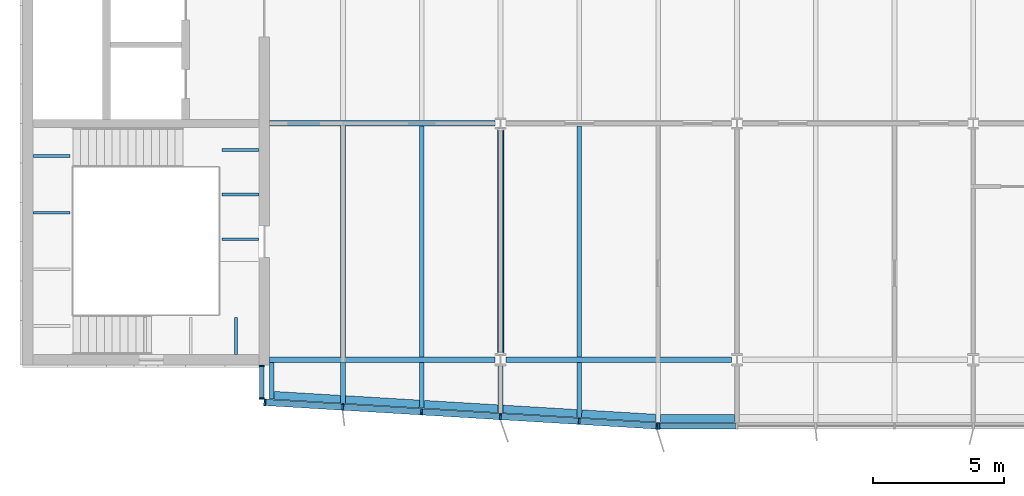
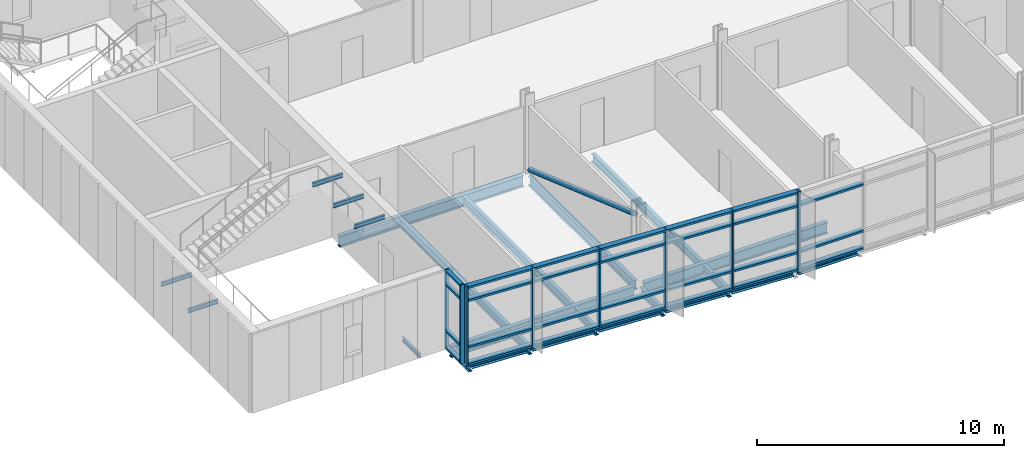
# One storey, part 2 of 17: 37 members, 24 beams, 3 elements without a shape of their own.
"""IFC4 building model written with IfcOpenShell, lengths in metres."""

from ifc_helpers import new_model, si_unit, direction, frame, origin, origin_2d, place, context, subcontext, project, spatial, rectangle, hollow_circle, i_section, extrude, material, material_profile, profile_set, type_object, element, aggregate, save


model = new_model("IFC4")

# Units and contexts
model_context = context("Model", 3, precision=1e-05, world=origin(), true_north=direction((0.0, 1.0)))
body_context = subcontext(model_context, "Body", "Model", "MODEL_VIEW")
ifc_project = project(units=[si_unit("LENGTHUNIT", "METRE"), si_unit("AREAUNIT", "SQUARE_METRE"), si_unit("VOLUMEUNIT", "CUBIC_METRE"), si_unit("PLANEANGLEUNIT", "RADIAN"), si_unit("MASSUNIT", "GRAM", prefix="KILO")], contexts=[model_context])

# Site, building, storey
site_placement = place(None, origin())
site = spatial("IfcSite", under=ifc_project, at=site_placement, CompositionType="ELEMENT")
building_placement = place(site_placement, origin())
building = spatial("IfcBuilding", under=site, at=building_placement, Name="Azimuth Sports and Learning Centre", CompositionType="ELEMENT")
storey_placement = place(building_placement, frame((0.0, 0.0, 36.300048828125)))
storey = spatial("IfcBuildingStorey", under=building, at=storey_placement, Name="L07", CompositionType="ELEMENT", Elevation=36.300048828125)

# Beams
ifc_material_1 = material(Name="Steel S355", Category="steel")
ifc_material_profile_1 = material_profile(ifc_material_1, i_section(OverallWidth=0.10009765625, OverallDepth=0.199951171875, WebThickness=0.005615234375, FlangeThickness=0.008544921875, FilletRadius=0.011962890625, at=origin_2d()), Name="IPE 200")
ifc_profile_set_1 = profile_set([ifc_material_profile_1], Name="Steel S355")
beam_type_1 = type_object("IfcBeamType", Name="Beam IPE 200", PredefinedType="BEAM", material=ifc_profile_set_1)
for number, where, z_axis, x_axis, name in (
    (1, (61.9267578125, 90.199951171875, -0.300048828125), (0.0, 1.0, 0.0), (-1.0, 0.0, 0.0), "Landing bracket W1 L07 71"),
    (2, (54.199951171875, 95.603759765625, 1.349853515625), (1.0, 0.0, 0.0), (0.0, 1.0, 0.0), "Landing bracket W1 L07 74"),
    (3, (54.199951171875, 97.76123046875, 1.349853515625), (1.0, 0.0, 0.0), (0.0, 1.0, 0.0), "Landing bracket W1 L07 75"),
    (4, (62.800048828125, 94.598388671875, 3.599853515625), (-1.0, 0.0, 0.0), (0.0, -1.0, 0.0), "Landing bracket W1 L07 76"),
    (5, (62.800048828125, 96.294921875, 3.599853515625), (-1.0, 0.0, 0.0), (0.0, -1.0, 0.0), "Landing bracket W1 L07 77"),
    (6, (62.800048828125, 97.99169921875, 3.599853515625), (-1.0, 0.0, 0.0), (0.0, -1.0, 0.0), "Landing bracket W1 L07 78"),
):
    element("IfcBeam", number, at=place(storey_placement, frame(where, z_axis=z_axis, x_axis=x_axis)), inside=storey, type_object=beam_type_1, Name=name, PredefinedType="BEAM", context=body_context, shape_type="SweptSolid", body=[
        extrude(i_section(OverallWidth=0.10009765625, OverallDepth=0.199951171875, WebThickness=0.005615234375, FlangeThickness=0.008544921875, FilletRadius=0.011962890625, at=origin_2d()), origin(), (0.0, 0.0, 1.0), 1.41015625),
    ])
ifc_material_2 = material(Name="Steel S355", Category="steel")
ifc_material_profile_2 = material_profile(ifc_material_2, i_section(OverallWidth=0.18994140625, OverallDepth=0.449951171875, WebThickness=0.009521484375, FlangeThickness=0.0146484375, FilletRadius=0.02099609375, at=origin_2d()), Name="IPE 450")
ifc_profile_set_2 = profile_set([ifc_material_profile_2], Name="Steel S355")
beam_type_2 = type_object("IfcBeamType", Name="Beam IPE 450", PredefinedType="BEAM", material=ifc_profile_set_2)
beam_1_placement = place(storey_placement, frame((72.0, 90.237060546875, -0.35498046875), z_axis=(0.0, 1.0, 0.0), x_axis=(-1.0, 0.0, 0.0)))
element("IfcBeam", 7, at=beam_1_placement, inside=storey, type_object=beam_type_2, Name="Tower tie", PredefinedType="BEAM", context=body_context, shape_type="SweptSolid", body=[
    extrude(i_section(OverallWidth=0.18994140625, OverallDepth=0.449951171875, WebThickness=0.009521484375, FlangeThickness=0.0146484375, FilletRadius=0.02099609375, at=origin_2d()), origin(), (0.0, 0.0, 1.0), 8.54541015625),
])
ifc_material_3 = material(Name="Steel S355", Category="steel")
ifc_material_profile_3 = material_profile(ifc_material_3, i_section(OverallWidth=0.2099609375, OverallDepth=0.550048828125, WebThickness=0.010986328125, FlangeThickness=0.01708984375, FilletRadius=0.02392578125, at=origin_2d()), Name="IPE 550")
ifc_profile_set_3 = profile_set([ifc_material_profile_3], Name="Steel S355")
beam_type_3 = type_object("IfcBeamType", Name="Beam IPE 550", PredefinedType="BEAM", material=ifc_profile_set_3)
beam_2_placement = place(storey_placement, frame((63.199951171875, 90.0, -0.405029296875), z_axis=(1.0, 0.0, 0.0), x_axis=(0.0, 1.0, 0.0)))
element("IfcBeam", 8, at=beam_2_placement, inside=storey, type_object=beam_type_3, Name="Tower girder L07", PredefinedType="BEAM", context=body_context, shape_type="SweptSolid", body=[
    extrude(i_section(OverallWidth=0.2099609375, OverallDepth=0.550048828125, WebThickness=0.010986328125, FlangeThickness=0.01708984375, FilletRadius=0.02392578125, at=origin_2d()), origin(), (0.0, 0.0, 1.0), 8.588134765625),
])
beam_3_placement = place(storey_placement, frame((72.2119140625, 90.0, -0.405029296875), z_axis=(1.0, 0.0, 0.0), x_axis=(0.0, 1.0, 0.0)))
element("IfcBeam", 9, at=beam_3_placement, inside=storey, type_object=beam_type_3, Name="Tower girder L07", PredefinedType="BEAM", context=body_context, shape_type="SweptSolid", body=[
    extrude(i_section(OverallWidth=0.2099609375, OverallDepth=0.550048828125, WebThickness=0.010986328125, FlangeThickness=0.01708984375, FilletRadius=0.02392578125, at=origin_2d()), origin(), (0.0, 0.0, 1.0), 8.576171875),
])
beam_4_placement = place(storey_placement, frame((63.199951171875, 99.0, -0.405029296875), z_axis=(1.0, 0.0, 0.0), x_axis=(0.0, 1.0, 0.0)))
element("IfcBeam", 10, at=beam_4_placement, inside=storey, type_object=beam_type_3, Name="Tower girder L07", PredefinedType="BEAM", context=body_context, shape_type="SweptSolid", body=[
    extrude(i_section(OverallWidth=0.2099609375, OverallDepth=0.550048828125, WebThickness=0.010986328125, FlangeThickness=0.01708984375, FilletRadius=0.02392578125, at=origin_2d()), origin(), (0.0, 0.0, 1.0), 8.593994140625),
])

# Member
ifc_material_4 = material(Name="Steel S355", Category="steel")
ifc_material_profile_4 = material_profile(ifc_material_4, hollow_circle(Radius=0.122314453125, WallThickness=0.012451171875, at=origin_2d()), Name="CHS 244.5x12.5")
ifc_profile_set_4 = profile_set([ifc_material_profile_4], Name="Steel S355")
member_type_1 = type_object("IfcMemberType", Name="Brace CHS 244.5x12.5", PredefinedType="BRACE", material=ifc_profile_set_4)
member_1_placement = place(storey_placement, frame((72.0, 90.25732421875, 3.150634765625), z_axis=(0.0, 0.943699867633, -0.330802901785), x_axis=(-1.0, 0.0, 0.0)))
element("IfcMember", 11, at=member_1_placement, inside=storey, type_object=member_type_1, Name="Tower brace 9 L07", PredefinedType="BRACE", context=body_context, shape_type="SweptSolid", body=[
    extrude(hollow_circle(Radius=0.122314453125, WallThickness=0.012451171875, at=origin_2d()), origin(), (0.0, 0.0, 1.0), 9.011962890625),
])

# Beams
ifc_material_5 = material(Name="Steel S355", Category="steel")
ifc_material_profile_5 = material_profile(ifc_material_5, i_section(OverallWidth=0.179931640625, OverallDepth=0.39990234375, WebThickness=0.008544921875, FlangeThickness=0.013427734375, FilletRadius=0.02099609375, at=origin_2d()), Name="IPE 400")
ifc_profile_set_5 = profile_set([ifc_material_profile_5], Name="Steel S355")
beam_type_4 = type_object("IfcBeamType", Name="Cantilever stub IPE 400", PredefinedType="JOIST", material=ifc_profile_set_5)
beam_5_placement = place(storey_placement, frame((63.2900390625, 89.89501953125, -0.330078125), z_axis=(0.0, -1.0, 0.0), x_axis=(1.0, 0.0, 0.0)))
element("IfcBeam", 12, at=beam_5_placement, inside=storey, type_object=beam_type_4, Name="Tower cantilever stub", PredefinedType="JOIST", context=body_context, shape_type="SweptSolid", body=[
    extrude(i_section(OverallWidth=0.179931640625, OverallDepth=0.39990234375, WebThickness=0.008544921875, FlangeThickness=0.013427734375, FilletRadius=0.02099609375, at=origin_2d()), origin(), (0.0, 0.0, 1.0), 1.392333984375),
])
beam_6_placement = place(storey_placement, frame((66.0, 89.89501953125, -0.330078125), z_axis=(0.0, -1.0, 0.0), x_axis=(1.0, 0.0, 0.0)))
element("IfcBeam", 13, at=beam_6_placement, inside=storey, type_object=beam_type_4, Name="Tower cantilever stub", PredefinedType="JOIST", context=body_context, shape_type="SweptSolid", body=[
    extrude(i_section(OverallWidth=0.179931640625, OverallDepth=0.39990234375, WebThickness=0.008544921875, FlangeThickness=0.013427734375, FilletRadius=0.02099609375, at=origin_2d()), origin(), (0.0, 0.0, 1.0), 1.554931640625),
])
beam_7_placement = place(storey_placement, frame((69.0, 89.89501953125, -0.330078125), z_axis=(0.0, -1.0, 0.0), x_axis=(1.0, 0.0, 0.0)))
element("IfcBeam", 14, at=beam_7_placement, inside=storey, type_object=beam_type_4, Name="Tower cantilever stub", PredefinedType="JOIST", context=body_context, shape_type="SweptSolid", body=[
    extrude(i_section(OverallWidth=0.179931640625, OverallDepth=0.39990234375, WebThickness=0.008544921875, FlangeThickness=0.013427734375, FilletRadius=0.02099609375, at=origin_2d()), origin(), (0.0, 0.0, 1.0), 1.735107421875),
])
beam_8_placement = place(storey_placement, frame((72.0, 89.762939453125, -0.330078125), z_axis=(0.0, -1.0, 0.0), x_axis=(1.0, 0.0, 0.0)))
element("IfcBeam", 15, at=beam_8_placement, inside=storey, type_object=beam_type_4, Name="Tower cantilever stub", PredefinedType="JOIST", context=body_context, shape_type="SweptSolid", body=[
    extrude(i_section(OverallWidth=0.179931640625, OverallDepth=0.39990234375, WebThickness=0.008544921875, FlangeThickness=0.013427734375, FilletRadius=0.02099609375, at=origin_2d()), origin(), (0.0, 0.0, 1.0), 1.782958984375),
])
beam_9_placement = place(storey_placement, frame((75.0, 89.89501953125, -0.330078125), z_axis=(0.0, -1.0, 0.0), x_axis=(1.0, 0.0, 0.0)))
element("IfcBeam", 16, at=beam_9_placement, inside=storey, type_object=beam_type_4, Name="Tower cantilever stub", PredefinedType="JOIST", context=body_context, shape_type="SweptSolid", body=[
    extrude(i_section(OverallWidth=0.179931640625, OverallDepth=0.39990234375, WebThickness=0.008544921875, FlangeThickness=0.013427734375, FilletRadius=0.02099609375, at=origin_2d()), origin(), (0.0, 0.0, 1.0), 2.094970703125),
])
ifc_material_6 = material(Name="Steel S355", Category="steel")
ifc_material_profile_6 = material_profile(ifc_material_6, i_section(OverallWidth=0.300048828125, OverallDepth=0.2900390625, WebThickness=0.008544921875, FlangeThickness=0.013916015625, FilletRadius=0.027099609375, at=origin_2d()), Name="HEA 300")
ifc_profile_set_6 = profile_set([ifc_material_profile_6], Name="Steel S355")
beam_type_5 = type_object("IfcBeamType", Name="Edge beam HEA 300", PredefinedType="SPANDREL", material=ifc_profile_set_6)
beam_10_placement = place(storey_placement, frame((63.3798828125, 88.647216796875, -0.275146484375), z_axis=(0.998203578329, -0.059913405937, 0.0), x_axis=(0.059913405937, 0.998203578329, 0.0)))
element("IfcBeam", 17, at=beam_10_placement, inside=storey, type_object=beam_type_5, Name="Tower edge beam", PredefinedType="SPANDREL", context=body_context, shape_type="SweptSolid", body=[
    extrude(i_section(OverallWidth=0.300048828125, OverallDepth=0.2900390625, WebThickness=0.008544921875, FlangeThickness=0.013916015625, FilletRadius=0.027099609375, at=origin_2d()), origin(), (0.0, 0.0, 1.0), 2.53466796875),
])
for number, where, z_axis, x_axis, name in (
    (18, (66.090087890625, 88.484619140625, -0.275146484375), (0.998204845466, -0.059892290728, 0.0), (0.059892290728, 0.998204845466, 0.0), "Tower edge beam"),
    (19, (69.090087890625, 88.3046875, -0.275146484375), (0.998204845466, -0.059892290728, 0.0), (0.059892290728, 0.998204845466, 0.0), "Tower edge beam"),
    (20, (72.090087890625, 88.12451171875, -0.275146484375), (0.998204845466, -0.059892290728, 0.0), (0.059892290728, 0.998204845466, 0.0), "Tower edge beam"),
    (21, (75.090087890625, 87.944580078125, -0.275146484375), (0.998204845466, -0.059892290728, 0.0), (0.059892290728, 0.998204845466, 0.0), "Tower edge beam"),
):
    element("IfcBeam", number, at=place(storey_placement, frame(where, z_axis=z_axis, x_axis=x_axis)), inside=storey, type_object=beam_type_5, Name=name, PredefinedType="SPANDREL", context=body_context, shape_type="SweptSolid", body=[
        extrude(i_section(OverallWidth=0.300048828125, OverallDepth=0.2900390625, WebThickness=0.008544921875, FlangeThickness=0.013916015625, FilletRadius=0.027099609375, at=origin_2d()), origin(), (0.0, 0.0, 1.0), 2.824951171875),
    ])
beam_11_placement = place(storey_placement, frame((78.090087890625, 87.77001953125, -0.275146484375), z_axis=(1.0, 0.0, 0.0), x_axis=(0.0, 1.0, 0.0)))
element("IfcBeam", 22, at=beam_11_placement, inside=storey, type_object=beam_type_5, Name="Tower edge beam", PredefinedType="SPANDREL", context=body_context, shape_type="SweptSolid", body=[
    extrude(i_section(OverallWidth=0.300048828125, OverallDepth=0.2900390625, WebThickness=0.008544921875, FlangeThickness=0.013916015625, FilletRadius=0.027099609375, at=origin_2d()), origin(), (0.0, 0.0, 1.0), 2.81982421875),
])
ifc_material_7 = material(Name="Steel S355", Category="steel")
ifc_material_profile_7 = material_profile(ifc_material_7, i_section(OverallWidth=0.179931640625, OverallDepth=0.39990234375, WebThickness=0.008544921875, FlangeThickness=0.013427734375, FilletRadius=0.02099609375, at=origin_2d()), Name="IPE 400")
ifc_profile_set_7 = profile_set([ifc_material_profile_7], Name="Steel S355")
beam_type_6 = type_object("IfcBeamType", Name="Joist IPE 400", PredefinedType="JOIST", material=ifc_profile_set_7)
for number, where, z_axis, x_axis, name in (
    (23, (66.0, 90.10498046875, -0.330078125), (0.0, 1.0, 0.0), (-1.0, 0.0, 0.0), "Tower joist"),
    (24, (69.0, 90.10498046875, -0.330078125), (0.0, 1.0, 0.0), (-1.0, 0.0, 0.0), "Tower joist"),
    (25, (75.0, 90.10498046875, -0.330078125), (0.0, 1.0, 0.0), (-1.0, 0.0, 0.0), "Tower joist"),
):
    element("IfcBeam", number, at=place(storey_placement, frame(where, z_axis=z_axis, x_axis=x_axis)), inside=storey, type_object=beam_type_6, Name=name, PredefinedType="JOIST", context=body_context, shape_type="SweptSolid", body=[
        extrude(i_section(OverallWidth=0.179931640625, OverallDepth=0.39990234375, WebThickness=0.008544921875, FlangeThickness=0.013427734375, FilletRadius=0.02099609375, at=origin_2d()), origin(), (0.0, 0.0, 1.0), 8.7900390625),
    ])

# Curtain wall, members
ifc_material_8 = material(Name="Aluminium and glass", Category="aluminium")
curtain_wall_type_1 = type_object("IfcCurtainWallType", Name="Curtain wall tower return 180", PredefinedType="NOTDEFINED", material=ifc_material_8)
curtain_wall_1_placement = place(storey_placement, origin())
curtain_wall_1 = element("IfcCurtainWall", 26, at=curtain_wall_1_placement, inside=storey, type_object=curtain_wall_type_1, Name="Curtain wall CW07-001", PredefinedType="NOTDEFINED")
ifc_material_9 = material(Name="Aluminium", Category="aluminium")
ifc_material_profile_8 = material_profile(ifc_material_9, rectangle(XDim=0.179931640625, YDim=0.06005859375, at=origin_2d()), Name="Mullion 60x180")
ifc_profile_set_8 = profile_set([ifc_material_profile_8], Name="Aluminium")
member_type_2 = type_object("IfcMemberType", Name="Mullion 60x180", PredefinedType="MULLION", material=ifc_profile_set_8)
member_2_placement = place(storey_placement, frame((62.909912109375, 89.77001953125, 0.0), z_axis=(0.0, 0.0, 1.0), x_axis=(1.0, 0.0, 0.0)))
member_2 = element("IfcMember", 27, at=member_2_placement, type_object=member_type_2, Name="CW07-001 mullion 1", PredefinedType="MULLION", context=body_context, shape_type="SweptSolid", body=[
    extrude(rectangle(XDim=0.179931640625, YDim=0.06005859375, at=origin_2d()), origin(), (0.0, 0.0, 1.0), 3.89990234375),
])
member_3_placement = place(storey_placement, frame((62.909912109375, 88.530029296875, 0.0), z_axis=(0.0, 0.0, 1.0), x_axis=(1.0, 0.0, 0.0)))
member_3 = element("IfcMember", 28, at=member_3_placement, type_object=member_type_2, Name="CW07-001 mullion 2", PredefinedType="MULLION", context=body_context, shape_type="SweptSolid", body=[
    extrude(rectangle(XDim=0.179931640625, YDim=0.06005859375, at=origin_2d()), origin(), (0.0, 0.0, 1.0), 3.89990234375),
])

ifc_material_10 = material(Name="Aluminium and glass", Category="aluminium")
curtain_wall_type_2 = type_object("IfcCurtainWallType", Name="Curtain wall tower south 240", PredefinedType="NOTDEFINED", material=ifc_material_10)
curtain_wall_2_placement = place(storey_placement, origin())
curtain_wall_2 = element("IfcCurtainWall", 29, at=curtain_wall_2_placement, inside=storey, type_object=curtain_wall_type_2, Name="Curtain wall CW07-002", PredefinedType="NOTDEFINED")
ifc_material_11 = material(Name="Aluminium", Category="aluminium")
ifc_material_profile_9 = material_profile(ifc_material_11, rectangle(XDim=0.239990234375, YDim=0.070068359375, at=origin_2d()), Name="Mullion 70x240")
ifc_profile_set_9 = profile_set([ifc_material_profile_9], Name="Aluminium")
member_type_3 = type_object("IfcMemberType", Name="Mullion 70x240", PredefinedType="MULLION", material=ifc_profile_set_9)
member_4_placement = place(storey_placement, frame((63.02783203125, 88.378173828125, 0.0), z_axis=(0.0, 0.0, 1.0), x_axis=(0.059891991812, 0.998204863401, 0.0)))
member_4 = element("IfcMember", 30, at=member_4_placement, type_object=member_type_3, Name="CW07-002 mullion 1", PredefinedType="MULLION", context=body_context, shape_type="SweptSolid", body=[
    extrude(rectangle(XDim=0.239990234375, YDim=0.070068359375, at=origin_2d()), origin(), (0.0, 0.0, 1.0), 3.89990234375),
])
member_5_placement = place(storey_placement, frame((65.992919921875, 88.2001953125, 0.0), z_axis=(0.0, 0.0, 1.0), x_axis=(0.059891991812, 0.998204863401, 0.0)))
member_5 = element("IfcMember", 31, at=member_5_placement, type_object=member_type_3, Name="CW07-002 mullion 2", PredefinedType="MULLION", context=body_context, shape_type="SweptSolid", body=[
    extrude(rectangle(XDim=0.239990234375, YDim=0.070068359375, at=origin_2d()), origin(), (0.0, 0.0, 1.0), 3.89990234375),
])
member_6_placement = place(storey_placement, frame((68.992919921875, 88.020263671875, 0.0), z_axis=(0.0, 0.0, 1.0), x_axis=(0.059891991812, 0.998204863401, 0.0)))
member_6 = element("IfcMember", 32, at=member_6_placement, type_object=member_type_3, Name="CW07-002 mullion 3", PredefinedType="MULLION", context=body_context, shape_type="SweptSolid", body=[
    extrude(rectangle(XDim=0.239990234375, YDim=0.070068359375, at=origin_2d()), origin(), (0.0, 0.0, 1.0), 3.89990234375),
])
member_7_placement = place(storey_placement, frame((71.992919921875, 87.84033203125, 0.0), z_axis=(0.0, 0.0, 1.0), x_axis=(0.059891991812, 0.998204863401, 0.0)))
member_7 = element("IfcMember", 33, at=member_7_placement, type_object=member_type_3, Name="CW07-002 mullion 4", PredefinedType="MULLION", context=body_context, shape_type="SweptSolid", body=[
    extrude(rectangle(XDim=0.239990234375, YDim=0.070068359375, at=origin_2d()), origin(), (0.0, 0.0, 1.0), 3.89990234375),
])
member_8_placement = place(storey_placement, frame((74.992919921875, 87.66015625, 0.0), z_axis=(0.0, 0.0, 1.0), x_axis=(0.059891991812, 0.998204863401, 0.0)))
member_8 = element("IfcMember", 34, at=member_8_placement, type_object=member_type_3, Name="CW07-002 mullion 5", PredefinedType="MULLION", context=body_context, shape_type="SweptSolid", body=[
    extrude(rectangle(XDim=0.239990234375, YDim=0.070068359375, at=origin_2d()), origin(), (0.0, 0.0, 1.0), 3.89990234375),
])
member_9_placement = place(storey_placement, frame((77.957763671875, 87.482421875, 0.0), z_axis=(0.0, 0.0, 1.0), x_axis=(0.059891991812, 0.998204863401, 0.0)))
member_9 = element("IfcMember", 35, at=member_9_placement, type_object=member_type_3, Name="CW07-002 mullion 6", PredefinedType="MULLION", context=body_context, shape_type="SweptSolid", body=[
    extrude(rectangle(XDim=0.239990234375, YDim=0.070068359375, at=origin_2d()), origin(), (0.0, 0.0, 1.0), 3.89990234375),
])

# Curtain wall, member
curtain_wall_3_placement = place(storey_placement, origin())
curtain_wall_3 = element("IfcCurtainWall", 36, at=curtain_wall_3_placement, inside=storey, type_object=curtain_wall_type_2, Name="Curtain wall CW07-003", PredefinedType="NOTDEFINED")
member_10_placement = place(storey_placement, frame((78.02783203125, 87.47998046875, 0.0), z_axis=(0.0, 0.0, 1.0), x_axis=(0.0, 1.0, 0.0)))
member_10 = element("IfcMember", 37, at=member_10_placement, type_object=member_type_3, Name="CW07-003 mullion 1", PredefinedType="MULLION", context=body_context, shape_type="SweptSolid", body=[
    extrude(rectangle(XDim=0.239990234375, YDim=0.070068359375, at=origin_2d()), origin(), (0.0, 0.0, 1.0), 3.89990234375),
])

# Member
ifc_material_12 = material(Name="Aluminium", Category="aluminium")
ifc_material_profile_10 = material_profile(ifc_material_12, rectangle(XDim=0.179931640625, YDim=0.10009765625, at=origin_2d()), Name="Transom 100x180")
ifc_profile_set_10 = profile_set([ifc_material_profile_10], Name="Aluminium")
member_type_4 = type_object("IfcMemberType", Name="Transom 100x180", PredefinedType="USERDEFINED", material=ifc_profile_set_10)
member_11_placement = place(storey_placement, frame((62.909912109375, 89.739990234375, 0.050048828125), z_axis=(0.0, -1.0, 0.0), x_axis=(1.0, 0.0, 0.0)))
member_11 = element("IfcMember", 38, at=member_11_placement, type_object=member_type_4, Name="CW07-001 transom 1.1", ObjectType="TRANSOM", PredefinedType="USERDEFINED", context=body_context, shape_type="SweptSolid", body=[
    extrude(rectangle(XDim=0.179931640625, YDim=0.10009765625, at=origin_2d()), origin(), (0.0, 0.0, 1.0), 1.179931640625),
])

member_12_placement = place(storey_placement, frame((62.909912109375, 89.739990234375, 0.89990234375), z_axis=(0.0, -1.0, 0.0), x_axis=(1.0, 0.0, 0.0)))
member_12 = element("IfcMember", 39, at=member_12_placement, type_object=member_type_4, Name="CW07-001 transom 1.2", ObjectType="TRANSOM", PredefinedType="USERDEFINED", context=body_context, shape_type="SweptSolid", body=[
    extrude(rectangle(XDim=0.179931640625, YDim=0.10009765625, at=origin_2d()), origin(), (0.0, 0.0, 1.0), 1.179931640625),
])

member_13_placement = place(storey_placement, frame((62.909912109375, 89.739990234375, 3.199951171875), z_axis=(0.0, -1.0, 0.0), x_axis=(1.0, 0.0, 0.0)))
member_13 = element("IfcMember", 40, at=member_13_placement, type_object=member_type_4, Name="CW07-001 transom 1.3", ObjectType="TRANSOM", PredefinedType="USERDEFINED", context=body_context, shape_type="SweptSolid", body=[
    extrude(rectangle(XDim=0.179931640625, YDim=0.10009765625, at=origin_2d()), origin(), (0.0, 0.0, 1.0), 1.179931640625),
])

member_14_placement = place(storey_placement, frame((62.909912109375, 89.739990234375, 3.849853515625), z_axis=(0.0, -1.0, 0.0), x_axis=(1.0, 0.0, 0.0)))
member_14 = element("IfcMember", 41, at=member_14_placement, type_object=member_type_4, Name="CW07-001 transom 1.4", ObjectType="TRANSOM", PredefinedType="USERDEFINED", context=body_context, shape_type="SweptSolid", body=[
    extrude(rectangle(XDim=0.179931640625, YDim=0.10009765625, at=origin_2d()), origin(), (0.0, 0.0, 1.0), 1.179931640625),
])

aggregate(curtain_wall_1, [member_2, member_3, member_11, member_12, member_13, member_14])

ifc_material_13 = material(Name="Aluminium", Category="aluminium")
ifc_material_profile_11 = material_profile(ifc_material_13, rectangle(XDim=0.239990234375, YDim=0.10009765625, at=origin_2d()), Name="Transom 100x240")
ifc_profile_set_11 = profile_set([ifc_material_profile_11], Name="Aluminium")
member_type_5 = type_object("IfcMemberType", Name="Transom 100x240", PredefinedType="USERDEFINED", material=ifc_profile_set_11)
member_15_placement = place(storey_placement, frame((63.062744140625, 88.3759765625, 0.050048828125), z_axis=(0.998207260343, -0.059852029187, 0.0), x_axis=(0.059852029187, 0.998207260343, 0.0)))
member_15 = element("IfcMember", 42, at=member_15_placement, type_object=member_type_5, Name="CW07-002 transom 1.1", ObjectType="TRANSOM", PredefinedType="USERDEFINED", context=body_context, shape_type="SweptSolid", body=[
    extrude(rectangle(XDim=0.239990234375, YDim=0.10009765625, at=origin_2d()), origin(), (0.0, 0.0, 1.0), 2.900146484375),
])

member_16_placement = place(storey_placement, frame((63.062744140625, 88.3759765625, 0.89990234375), z_axis=(0.998207260343, -0.059852029187, 0.0), x_axis=(0.059852029187, 0.998207260343, 0.0)))
member_16 = element("IfcMember", 43, at=member_16_placement, type_object=member_type_5, Name="CW07-002 transom 1.2", ObjectType="TRANSOM", PredefinedType="USERDEFINED", context=body_context, shape_type="SweptSolid", body=[
    extrude(rectangle(XDim=0.239990234375, YDim=0.10009765625, at=origin_2d()), origin(), (0.0, 0.0, 1.0), 2.900146484375),
])

member_17_placement = place(storey_placement, frame((63.062744140625, 88.3759765625, 3.199951171875), z_axis=(0.998207260343, -0.059852029187, 0.0), x_axis=(0.059852029187, 0.998207260343, 0.0)))
member_17 = element("IfcMember", 44, at=member_17_placement, type_object=member_type_5, Name="CW07-002 transom 1.3", ObjectType="TRANSOM", PredefinedType="USERDEFINED", context=body_context, shape_type="SweptSolid", body=[
    extrude(rectangle(XDim=0.239990234375, YDim=0.10009765625, at=origin_2d()), origin(), (0.0, 0.0, 1.0), 2.900146484375),
])

member_18_placement = place(storey_placement, frame((63.062744140625, 88.3759765625, 3.849853515625), z_axis=(0.998207260343, -0.059852029187, 0.0), x_axis=(0.059852029187, 0.998207260343, 0.0)))
member_18 = element("IfcMember", 45, at=member_18_placement, type_object=member_type_5, Name="CW07-002 transom 1.4", ObjectType="TRANSOM", PredefinedType="USERDEFINED", context=body_context, shape_type="SweptSolid", body=[
    extrude(rectangle(XDim=0.239990234375, YDim=0.10009765625, at=origin_2d()), origin(), (0.0, 0.0, 1.0), 2.900146484375),
])

member_19_placement = place(storey_placement, frame((66.02783203125, 88.197998046875, 0.050048828125), z_axis=(0.998205143816, -0.059887318019, 0.0), x_axis=(0.059887318019, 0.998205143816, 0.0)))
member_19 = element("IfcMember", 46, at=member_19_placement, type_object=member_type_5, Name="CW07-002 transom 2.1", ObjectType="TRANSOM", PredefinedType="USERDEFINED", context=body_context, shape_type="SweptSolid", body=[
    extrude(rectangle(XDim=0.239990234375, YDim=0.10009765625, at=origin_2d()), origin(), (0.0, 0.0, 1.0), 2.935302734375),
])

member_20_placement = place(storey_placement, frame((66.02783203125, 88.197998046875, 0.89990234375), z_axis=(0.998205143816, -0.059887318019, 0.0), x_axis=(0.059887318019, 0.998205143816, 0.0)))
member_20 = element("IfcMember", 47, at=member_20_placement, type_object=member_type_5, Name="CW07-002 transom 2.2", ObjectType="TRANSOM", PredefinedType="USERDEFINED", context=body_context, shape_type="SweptSolid", body=[
    extrude(rectangle(XDim=0.239990234375, YDim=0.10009765625, at=origin_2d()), origin(), (0.0, 0.0, 1.0), 2.935302734375),
])

member_21_placement = place(storey_placement, frame((66.02783203125, 88.197998046875, 3.199951171875), z_axis=(0.998205143816, -0.059887318019, 0.0), x_axis=(0.059887318019, 0.998205143816, 0.0)))
member_21 = element("IfcMember", 48, at=member_21_placement, type_object=member_type_5, Name="CW07-002 transom 2.3", ObjectType="TRANSOM", PredefinedType="USERDEFINED", context=body_context, shape_type="SweptSolid", body=[
    extrude(rectangle(XDim=0.239990234375, YDim=0.10009765625, at=origin_2d()), origin(), (0.0, 0.0, 1.0), 2.935302734375),
])

member_22_placement = place(storey_placement, frame((66.02783203125, 88.197998046875, 3.849853515625), z_axis=(0.998205143816, -0.059887318019, 0.0), x_axis=(0.059887318019, 0.998205143816, 0.0)))
member_22 = element("IfcMember", 49, at=member_22_placement, type_object=member_type_5, Name="CW07-002 transom 2.4", ObjectType="TRANSOM", PredefinedType="USERDEFINED", context=body_context, shape_type="SweptSolid", body=[
    extrude(rectangle(XDim=0.239990234375, YDim=0.10009765625, at=origin_2d()), origin(), (0.0, 0.0, 1.0), 2.935302734375),
])

member_23_placement = place(storey_placement, frame((69.02783203125, 88.01806640625, 0.050048828125), z_axis=(0.998205143816, -0.059887318019, 0.0), x_axis=(0.059887318019, 0.998205143816, 0.0)))
member_23 = element("IfcMember", 50, at=member_23_placement, type_object=member_type_5, Name="CW07-002 transom 3.1", ObjectType="TRANSOM", PredefinedType="USERDEFINED", context=body_context, shape_type="SweptSolid", body=[
    extrude(rectangle(XDim=0.239990234375, YDim=0.10009765625, at=origin_2d()), origin(), (0.0, 0.0, 1.0), 2.935302734375),
])

member_24_placement = place(storey_placement, frame((69.02783203125, 88.01806640625, 0.89990234375), z_axis=(0.998205143816, -0.059887318019, 0.0), x_axis=(0.059887318019, 0.998205143816, 0.0)))
member_24 = element("IfcMember", 51, at=member_24_placement, type_object=member_type_5, Name="CW07-002 transom 3.2", ObjectType="TRANSOM", PredefinedType="USERDEFINED", context=body_context, shape_type="SweptSolid", body=[
    extrude(rectangle(XDim=0.239990234375, YDim=0.10009765625, at=origin_2d()), origin(), (0.0, 0.0, 1.0), 2.935302734375),
])

member_25_placement = place(storey_placement, frame((69.02783203125, 88.01806640625, 3.199951171875), z_axis=(0.998205143816, -0.059887318019, 0.0), x_axis=(0.059887318019, 0.998205143816, 0.0)))
member_25 = element("IfcMember", 52, at=member_25_placement, type_object=member_type_5, Name="CW07-002 transom 3.3", ObjectType="TRANSOM", PredefinedType="USERDEFINED", context=body_context, shape_type="SweptSolid", body=[
    extrude(rectangle(XDim=0.239990234375, YDim=0.10009765625, at=origin_2d()), origin(), (0.0, 0.0, 1.0), 2.935302734375),
])

member_26_placement = place(storey_placement, frame((69.02783203125, 88.01806640625, 3.849853515625), z_axis=(0.998205143816, -0.059887318019, 0.0), x_axis=(0.059887318019, 0.998205143816, 0.0)))
member_26 = element("IfcMember", 53, at=member_26_placement, type_object=member_type_5, Name="CW07-002 transom 3.4", ObjectType="TRANSOM", PredefinedType="USERDEFINED", context=body_context, shape_type="SweptSolid", body=[
    extrude(rectangle(XDim=0.239990234375, YDim=0.10009765625, at=origin_2d()), origin(), (0.0, 0.0, 1.0), 2.935302734375),
])

member_27_placement = place(storey_placement, frame((72.02783203125, 87.838134765625, 0.050048828125), z_axis=(0.998205143816, -0.059887318019, 0.0), x_axis=(0.059887318019, 0.998205143816, 0.0)))
member_27 = element("IfcMember", 54, at=member_27_placement, type_object=member_type_5, Name="CW07-002 transom 4.1", ObjectType="TRANSOM", PredefinedType="USERDEFINED", context=body_context, shape_type="SweptSolid", body=[
    extrude(rectangle(XDim=0.239990234375, YDim=0.10009765625, at=origin_2d()), origin(), (0.0, 0.0, 1.0), 2.935302734375),
])

member_28_placement = place(storey_placement, frame((72.02783203125, 87.838134765625, 0.89990234375), z_axis=(0.998205143816, -0.059887318019, 0.0), x_axis=(0.059887318019, 0.998205143816, 0.0)))
member_28 = element("IfcMember", 55, at=member_28_placement, type_object=member_type_5, Name="CW07-002 transom 4.2", ObjectType="TRANSOM", PredefinedType="USERDEFINED", context=body_context, shape_type="SweptSolid", body=[
    extrude(rectangle(XDim=0.239990234375, YDim=0.10009765625, at=origin_2d()), origin(), (0.0, 0.0, 1.0), 2.935302734375),
])

member_29_placement = place(storey_placement, frame((72.02783203125, 87.838134765625, 3.199951171875), z_axis=(0.998205143816, -0.059887318019, 0.0), x_axis=(0.059887318019, 0.998205143816, 0.0)))
member_29 = element("IfcMember", 56, at=member_29_placement, type_object=member_type_5, Name="CW07-002 transom 4.3", ObjectType="TRANSOM", PredefinedType="USERDEFINED", context=body_context, shape_type="SweptSolid", body=[
    extrude(rectangle(XDim=0.239990234375, YDim=0.10009765625, at=origin_2d()), origin(), (0.0, 0.0, 1.0), 2.935302734375),
])

member_30_placement = place(storey_placement, frame((72.02783203125, 87.838134765625, 3.849853515625), z_axis=(0.998205143816, -0.059887318019, 0.0), x_axis=(0.059887318019, 0.998205143816, 0.0)))
member_30 = element("IfcMember", 57, at=member_30_placement, type_object=member_type_5, Name="CW07-002 transom 4.4", ObjectType="TRANSOM", PredefinedType="USERDEFINED", context=body_context, shape_type="SweptSolid", body=[
    extrude(rectangle(XDim=0.239990234375, YDim=0.10009765625, at=origin_2d()), origin(), (0.0, 0.0, 1.0), 2.935302734375),
])

member_31_placement = place(storey_placement, frame((75.02783203125, 87.658203125, 0.050048828125), z_axis=(0.998202227529, -0.059935907067, 0.0), x_axis=(0.059935907067, 0.998202227529, 0.0)))
member_31 = element("IfcMember", 58, at=member_31_placement, type_object=member_type_5, Name="CW07-002 transom 5.1", ObjectType="TRANSOM", PredefinedType="USERDEFINED", context=body_context, shape_type="SweptSolid", body=[
    extrude(rectangle(XDim=0.239990234375, YDim=0.10009765625, at=origin_2d()), origin(), (0.0, 0.0, 1.0), 2.900146484375),
])

member_32_placement = place(storey_placement, frame((75.02783203125, 87.658203125, 0.89990234375), z_axis=(0.998202227529, -0.059935907067, 0.0), x_axis=(0.059935907067, 0.998202227529, 0.0)))
member_32 = element("IfcMember", 59, at=member_32_placement, type_object=member_type_5, Name="CW07-002 transom 5.2", ObjectType="TRANSOM", PredefinedType="USERDEFINED", context=body_context, shape_type="SweptSolid", body=[
    extrude(rectangle(XDim=0.239990234375, YDim=0.10009765625, at=origin_2d()), origin(), (0.0, 0.0, 1.0), 2.900146484375),
])

member_33_placement = place(storey_placement, frame((75.02783203125, 87.658203125, 3.199951171875), z_axis=(0.998202227529, -0.059935907067, 0.0), x_axis=(0.059935907067, 0.998202227529, 0.0)))
member_33 = element("IfcMember", 60, at=member_33_placement, type_object=member_type_5, Name="CW07-002 transom 5.3", ObjectType="TRANSOM", PredefinedType="USERDEFINED", context=body_context, shape_type="SweptSolid", body=[
    extrude(rectangle(XDim=0.239990234375, YDim=0.10009765625, at=origin_2d()), origin(), (0.0, 0.0, 1.0), 2.900146484375),
])

member_34_placement = place(storey_placement, frame((75.02783203125, 87.658203125, 3.849853515625), z_axis=(0.998202227529, -0.059935907067, 0.0), x_axis=(0.059935907067, 0.998202227529, 0.0)))
member_34 = element("IfcMember", 61, at=member_34_placement, type_object=member_type_5, Name="CW07-002 transom 5.4", ObjectType="TRANSOM", PredefinedType="USERDEFINED", context=body_context, shape_type="SweptSolid", body=[
    extrude(rectangle(XDim=0.239990234375, YDim=0.10009765625, at=origin_2d()), origin(), (0.0, 0.0, 1.0), 2.900146484375),
])

aggregate(curtain_wall_2, [member_4, member_5, member_6, member_7, member_8, member_9, member_15, member_16, member_17, member_18, member_19, member_20, member_21, member_22, member_23, member_24, member_25, member_26, member_27, member_28, member_29, member_30, member_31, member_32, member_33, member_34])

member_35_placement = place(storey_placement, frame((78.062744140625, 87.47998046875, 0.050048828125), z_axis=(1.0, 0.0, 0.0), x_axis=(0.0, 1.0, 0.0)))
member_35 = element("IfcMember", 62, at=member_35_placement, type_object=member_type_5, Name="CW07-003 transom 1.1", ObjectType="TRANSOM", PredefinedType="USERDEFINED", context=body_context, shape_type="SweptSolid", body=[
    extrude(rectangle(XDim=0.239990234375, YDim=0.10009765625, at=origin_2d()), origin(), (0.0, 0.0, 1.0), 2.90234375),
])

member_36_placement = place(storey_placement, frame((78.062744140625, 87.47998046875, 0.89990234375), z_axis=(1.0, 0.0, 0.0), x_axis=(0.0, 1.0, 0.0)))
member_36 = element("IfcMember", 63, at=member_36_placement, type_object=member_type_5, Name="CW07-003 transom 1.2", ObjectType="TRANSOM", PredefinedType="USERDEFINED", context=body_context, shape_type="SweptSolid", body=[
    extrude(rectangle(XDim=0.239990234375, YDim=0.10009765625, at=origin_2d()), origin(), (0.0, 0.0, 1.0), 2.90234375),
])

member_37_placement = place(storey_placement, frame((78.062744140625, 87.47998046875, 3.199951171875), z_axis=(1.0, 0.0, 0.0), x_axis=(0.0, 1.0, 0.0)))
member_37 = element("IfcMember", 64, at=member_37_placement, type_object=member_type_5, Name="CW07-003 transom 1.3", ObjectType="TRANSOM", PredefinedType="USERDEFINED", context=body_context, shape_type="SweptSolid", body=[
    extrude(rectangle(XDim=0.239990234375, YDim=0.10009765625, at=origin_2d()), origin(), (0.0, 0.0, 1.0), 2.90234375),
])

aggregate(curtain_wall_3, [member_10, member_35, member_36, member_37])

save(model, "model.ifc")
